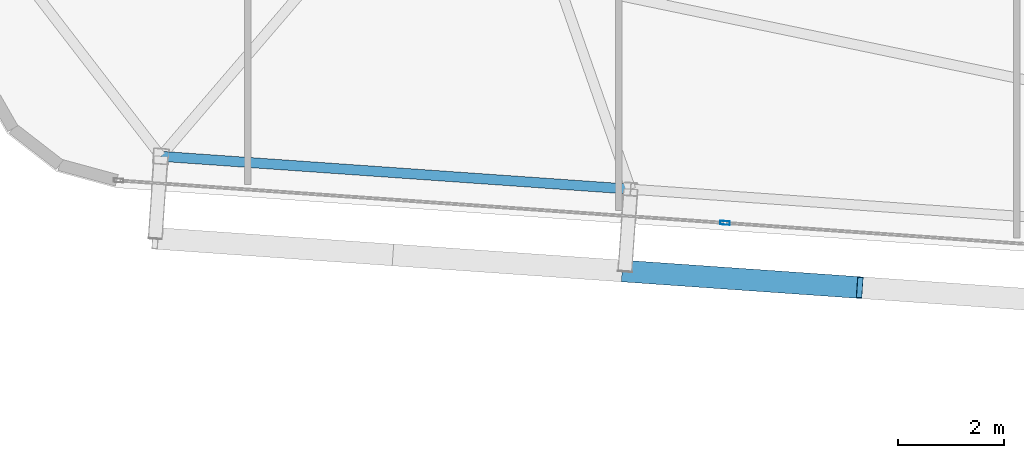
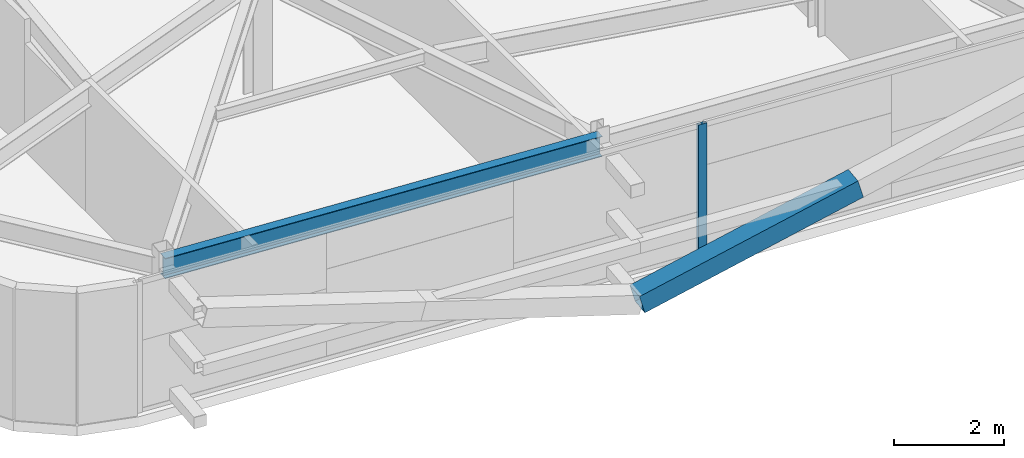
# One storey, part 7 of 39: 2 members, 1 beam, 1 element without a shape of its own.
"""IFC4 building model written with IfcOpenShell, lengths in metres."""

from ifc_helpers import new_model, si_unit, direction, frame, origin, origin_2d, place, context, subcontext, project, spatial, hollow_rectangle, i_section, extrude, source, transform, mapped, material, layer, layer_set, material_profile, profile_set, type_object, element, aggregate, save


model = new_model("IFC4")

# Units and contexts
model_context = context("Model", 3, precision=1e-05, world=origin(), true_north=direction((0.0, 1.0)))
body_context = subcontext(model_context, "Body", "Model", "MODEL_VIEW")
ifc_project = project(units=[si_unit("LENGTHUNIT", "METRE"), si_unit("AREAUNIT", "SQUARE_METRE"), si_unit("VOLUMEUNIT", "CUBIC_METRE"), si_unit("PLANEANGLEUNIT", "RADIAN"), si_unit("MASSUNIT", "GRAM", prefix="KILO")], contexts=[model_context])

# Site, building, storey
site_placement = place(None, origin())
site = spatial("IfcSite", under=ifc_project, at=site_placement, CompositionType="ELEMENT")
building_placement = place(site_placement, origin())
building = spatial("IfcBuilding", under=site, at=building_placement, Name="Taldren Reach Tower", CompositionType="ELEMENT")
storey_placement = place(building_placement, frame((0.0, 0.0, 155.050048828125)))
storey = spatial("IfcBuildingStorey", under=building, at=storey_placement, Name="L47", CompositionType="ELEMENT", Elevation=155.050048828125)

# Beam
ifc_material_1 = material(Name="Steel Gr 350 (350PLUS)", Category="steel")
ifc_material_profile_1 = material_profile(ifc_material_1, i_section(OverallWidth=0.18994140625, OverallDepth=0.4541015625, WebThickness=0.008544921875, FlangeThickness=0.0126953125, at=origin_2d()), Name="460UB67.1")
ifc_profile_set_1 = profile_set([ifc_material_profile_1], Name="Steel Gr 350 (350PLUS)")
beam_type = type_object("IfcBeamType", Name="SP-UB460B", PredefinedType="SPANDREL", material=ifc_profile_set_1)
shared_shape_1 = source(origin(), body_context, "Body", "SweptSolid", [
    extrude(i_section(OverallWidth=0.18994140625, OverallDepth=0.4541015625, WebThickness=0.008544921875, FlangeThickness=0.0126953125, at=origin_2d()), origin(), (0.0, 0.0, 1.0), 8.880126953125),
])
beam_placement = place(storey_placement, frame((11.863525390625, 5.33837890625, 2.702880859375), z_axis=(0.997564479639, -0.069750333063, 0.0), x_axis=(0.069750333063, 0.997564479639, 0.0)))
element("IfcBeam", 1, at=beam_placement, inside=storey, type_object=beam_type, Name="Perimeter spandrel B3 S1-S2 L47", PredefinedType="SPANDREL", context=body_context, shape_type="MappedRepresentation", body=[
    mapped(shared_shape_1, transform((0.0, 0.0, 0.0), scale=1.0)),
])

# Member
ifc_material_2 = material(Name="Steel Gr 450 (C450L0)", Category="steel")
ifc_material_profile_2 = material_profile(ifc_material_2, hollow_rectangle(XDim=0.409912109375, YDim=0.409912109375, WallThickness=0.01611328125, at=origin_2d()), Name="410x410x16.0SHS")
ifc_profile_set_2 = profile_set([ifc_material_profile_2], Name="Steel Gr 450 (C450L0)")
member_type_1 = type_object("IfcMemberType", Name="MB-EXO406", PredefinedType="BRACE", material=ifc_profile_set_2)
shared_shape_2 = source(origin(), body_context, "Body", "SweptSolid", [
    extrude(hollow_rectangle(XDim=0.409912109375, YDim=0.409912109375, WallThickness=0.01611328125, at=origin_2d()), origin(), (0.0, 0.0, 1.0), 4.603271484375),
])
member_1_placement = place(storey_placement, frame((20.61376953125, 3.1728515625, 0.219970703125), z_axis=(0.962182351074, -0.067302910567, 0.263961060594), x_axis=(0.06977769246, 0.997562566276, 0.0)))
element("IfcMember", 2, at=member_1_placement, inside=storey, type_object=member_type_1, Name="Exoskeleton Diagrid Brace B3-S2 L47", PredefinedType="BRACE", context=body_context, shape_type="MappedRepresentation", body=[
    mapped(shared_shape_2, transform((0.0, 0.0, 0.0), scale=1.0)),
])

# Curtain wall, member
ifc_material_3 = material(Name="Aluminium and Low-E Glass Unitised System", Category="aluminium")
ifc_layer = layer(ifc_material_3, 0.159912109375)
ifc_layer_set = layer_set([ifc_layer], Name="Aluminium and Low-E Glass Unitised System")
curtain_wall_type = type_object("IfcCurtainWallType", Name="CW-SYS-4", PredefinedType="NOTDEFINED", material=ifc_layer_set)
curtain_wall_placement = place(storey_placement, origin())
curtain_wall = element("IfcCurtainWall", 3, at=curtain_wall_placement, inside=storey, type_object=curtain_wall_type, Name="Unitised curtain wall CW-L47-S", PredefinedType="NOTDEFINED")
ifc_material_4 = material(Name="Anodised Aluminium 6063-T6", Category="aluminium")
ifc_material_profile_3 = material_profile(ifc_material_4, hollow_rectangle(XDim=0.070068359375, YDim=0.179931640625, WallThickness=0.00390625, at=origin_2d()), Name="ALU-180x70x4RHS")
ifc_profile_set_3 = profile_set([ifc_material_profile_3], Name="Anodised Aluminium 6063-T6")
member_type_2 = type_object("IfcMemberType", Name="CW-MUL-180", PredefinedType="MULLION", material=ifc_profile_set_3)
shared_shape_3 = source(origin(), body_context, "Body", "SweptSolid", [
    extrude(hollow_rectangle(XDim=0.070068359375, YDim=0.179931640625, WallThickness=0.00390625, at=origin_2d()), origin(), (0.0, 0.0, 1.0), 2.929931640625),
])
member_2_placement = place(storey_placement, frame((22.501953125, 4.083251953125, 0.0), z_axis=(0.0, 0.0, 1.0), x_axis=(0.06975651593, 0.99756404731, 0.0)))
member_2 = element("IfcMember", 4, at=member_2_placement, type_object=member_type_2, Name="CW-4 mullion 2", PredefinedType="MULLION", context=body_context, shape_type="MappedRepresentation", body=[
    mapped(shared_shape_3, transform((0.0, 0.0, 0.0), scale=1.0)),
])
aggregate(curtain_wall, [member_2])

save(model, "model.ifc")
